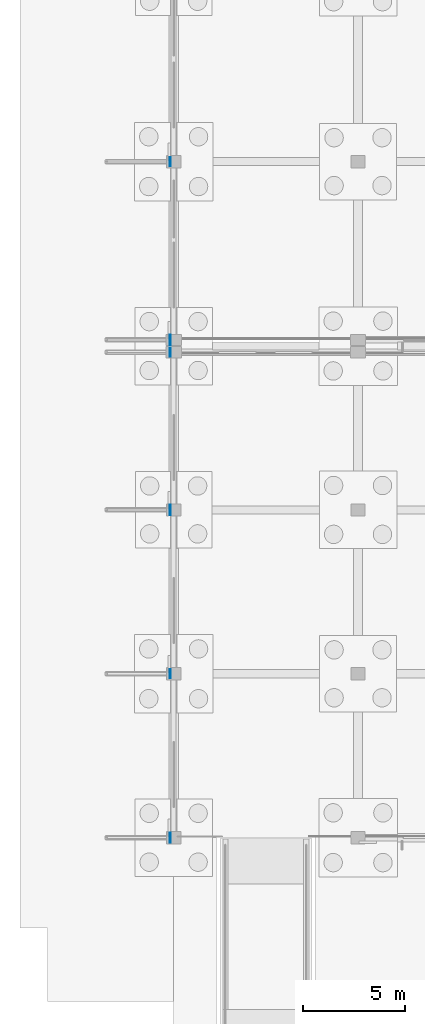
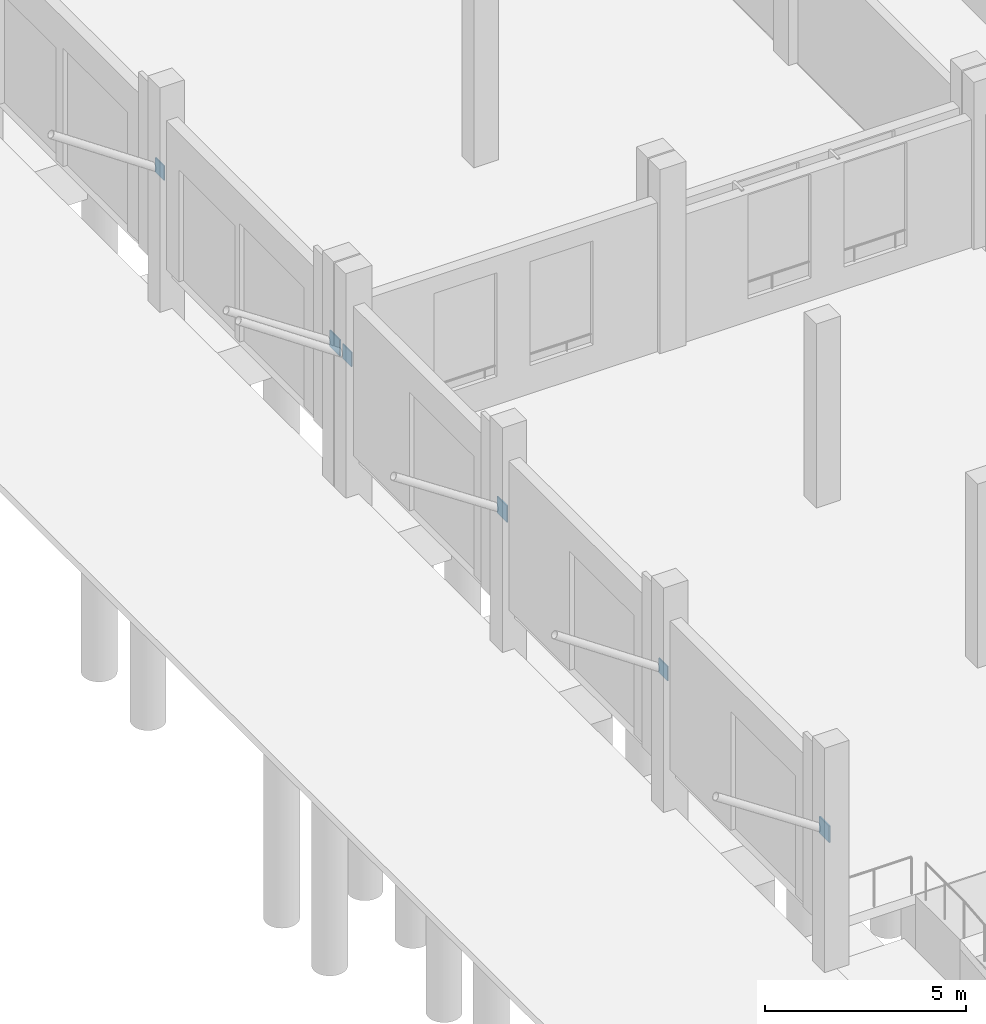
# One storey, part 52 of 99: 6 plates.
"""IFC4 building model written with IfcOpenShell, lengths in metres."""

import ifcopenshell
import ifcopenshell.guid

model = None  # the IFC model being written
_history = None  # IfcOwnerHistory: only IFC2X3 demands one
_inside = {}  # id of a spatial element -> (the spatial element, [elements in it])
_under = {}  # id of a project, library or spatial element -> (it, [spatial elements below it])
_declared = {}  # id of a project -> (the project, [libraries it declares])
_typed = {}  # id of a type object -> (the type object, [elements of that type])
_made_of = {}  # id of a material, layer set ... -> (it, [elements and type objects made of it])


def new_model(schema):
    """Start an empty IFC model of exactly this schema.

    Asked for "IFC4X3", IfcOpenShell would pick the latest addendum, in which some entities
    have other attributes; the version numbers below select the first issue.
    IFC2X3 requires an IfcOwnerHistory on every rooted entity: one is made here for all.
    """
    global model, _history
    if schema == "IFC4X3":
        model = ifcopenshell.file(schema_version=(4, 3, 0, 0))
    else:
        model = ifcopenshell.file(schema=schema)
    _inside.clear()
    _under.clear()
    _declared.clear()
    _typed.clear()
    _made_of.clear()
    _history = None
    if model.schema == "IFC2X3":
        org = make("IfcOrganization", Name="unknown")
        user = make(
            "IfcPersonAndOrganization",
            ThePerson=make("IfcPerson", FamilyName="unknown"),
            TheOrganization=org,
        )
        app = make(
            "IfcApplication",
            ApplicationDeveloper=org,
            Version="unknown",
            ApplicationFullName="unknown",
            ApplicationIdentifier="unknown",
        )
        _history = make(
            "IfcOwnerHistory",
            OwningUser=user,
            OwningApplication=app,
            ChangeAction="ADDED",
            CreationDate=0,
        )
    return model


def make(cls, **values):
    """One entity of the class cls with the attributes given. An attribute that is None is left unset."""
    return model.create_entity(
        cls, **{name: value for name, value in values.items() if value is not None}
    )


def rooted(cls, **values):
    """An entity with a GlobalId (a new one), such as an element, a storey or a relation."""
    return make(cls, GlobalId=ifcopenshell.guid.new(), OwnerHistory=_history, **values)


def si_unit(unit_type, name, prefix=None):
    """IfcSIUnit, for example si_unit("LENGTHUNIT", "METRE", prefix="MILLI")."""
    return make("IfcSIUnit", UnitType=unit_type, Prefix=prefix, Name=name)


def assignment(units):
    """IfcUnitAssignment: the units of a project."""
    return None if units is None else make("IfcUnitAssignment", Units=units)


def point(xyz):
    """IfcCartesianPoint."""
    return None if xyz is None else make("IfcCartesianPoint", Coordinates=xyz)


def direction(xyz):
    """IfcDirection."""
    return None if xyz is None else make("IfcDirection", DirectionRatios=xyz)


def frame(location, z_axis=None, x_axis=None):
    """IfcAxis2Placement3D, a coordinate frame: its origin and axes. An axis left out is left unset."""
    return make(
        "IfcAxis2Placement3D",
        Location=point(location),
        Axis=direction(z_axis),
        RefDirection=direction(x_axis),
    )


def frame_2d(location, x_axis=None):
    """IfcAxis2Placement2D, a coordinate frame in the plane: its origin and x axis."""
    return make(
        "IfcAxis2Placement2D", Location=point(location), RefDirection=direction(x_axis)
    )


def origin():
    """The frame at (0, 0, 0) with its axes left unset."""
    return frame((0.0, 0.0, 0.0))


def origin_2d():
    """The frame at (0, 0) in the plane with its x axis left unset."""
    return frame_2d((0.0, 0.0))


def place(relative_to, where):
    """IfcLocalPlacement: puts the frame where relative to a parent placement (None: the world)."""
    return make(
        "IfcLocalPlacement", PlacementRelTo=relative_to, RelativePlacement=where
    )


def context(
    kind, dimensions, precision=None, world=None, true_north=None, identifier=None
):
    """IfcGeometricRepresentationContext, for example the 3D "Model" context."""
    return make(
        "IfcGeometricRepresentationContext",
        ContextIdentifier=identifier,
        ContextType=kind,
        CoordinateSpaceDimension=dimensions,
        Precision=precision,
        WorldCoordinateSystem=world,
        TrueNorth=true_north,
    )


def subcontext(parent, identifier, kind, view, scale=None):
    """IfcGeometricRepresentationSubContext, for example "Body" below "Model"."""
    return make(
        "IfcGeometricRepresentationSubContext",
        ContextIdentifier=identifier,
        ContextType=kind,
        ParentContext=parent,
        TargetScale=scale,
        TargetView=view,
    )


def project(units=None, contexts=None):
    """IfcProject with its units and contexts."""
    return rooted(
        "IfcProject",
        Name="project",
        RepresentationContexts=contexts,
        UnitsInContext=assignment(units),
    )


def spatial(cls, under=None, at=None, **own):
    """A site, building, storey or space (cls), placed at a placement, below another one or the project."""
    s = rooted(cls, ObjectPlacement=at, **own)
    if under is not None:
        _under.setdefault(under.id(), (under, []))[1].append(s)
    return s


def profile(cls, at=None, kind="AREA", **sizes):
    """A parametric profile (cls). Its sizes go by their IFC names, for example OverallWidth=200.0."""
    return make(cls, ProfileType=kind, Position=at, **sizes)


def rectangle(**sizes):
    """IfcRectangleProfileDef."""
    return profile("IfcRectangleProfileDef", **sizes)


def extrude(swept, where, along, depth):
    """IfcExtrudedAreaSolid: the profile swept, set in the frame where, extruded along a direction by depth."""
    return make(
        "IfcExtrudedAreaSolid",
        SweptArea=swept,
        Position=where,
        ExtrudedDirection=direction(along),
        Depth=depth,
    )


def shape(context_of_items, identifier, shape_type, items):
    """IfcShapeRepresentation: the items that make up one representation, for example the "Body"."""
    return make(
        "IfcShapeRepresentation",
        ContextOfItems=context_of_items,
        RepresentationIdentifier=identifier,
        RepresentationType=shape_type,
        Items=items,
    )


def material(Name=None, Category=None):
    """IfcMaterial."""
    return make("IfcMaterial", Name=Name, Category=Category)


def layer(
    of_material, thickness, ventilated=None, Name=None, Category=None, Priority=None
):
    """IfcMaterialLayer: one layer of a wall or slab, of a material (None: an air gap)."""
    return make(
        "IfcMaterialLayer",
        Material=of_material,
        LayerThickness=thickness,
        IsVentilated=ventilated,
        Name=Name,
        Category=Category,
        Priority=Priority,
    )


def layer_set(layers, Name=None):
    """IfcMaterialLayerSet."""
    return make("IfcMaterialLayerSet", MaterialLayers=layers, LayerSetName=Name)


def made_of(thing, what):
    """Note that an element or type object is made of a material, layer set ...; save() writes the relation."""
    if what is not None:
        _made_of.setdefault(what.id(), (what, []))[1].append(thing)
    return thing


def type_object(cls, material=None, **own):
    """A type object (cls), such as IfcWallType, which elements share."""
    return made_of(rooted(cls, **own), material)


def element(
    cls,
    number,
    at=None,
    inside=None,
    cuts=None,
    type_object=None,
    material=None,
    context=None,
    identifier="Body",
    shape_type=None,
    held_by="IfcProductDefinitionShape",
    body=None,
    shapes=None,
    **own,
):
    """One element of the class cls, such as IfcWall. Its Tag is "e" and its number.

    at: its placement. inside: the storey or other place that contains it. cuts: it is an
    opening in that element (IfcRelVoidsElement). A single representation is given by context,
    identifier, shape_type and body (its items); several are given by shapes. held_by: the class
    of the entity that holds the representations. save() writes the other relations.
    """
    e = rooted(cls, Tag="e%d" % number, ObjectPlacement=at, **own)
    if body is not None:
        shapes = [shape(context, identifier, shape_type, body)]
    if shapes is not None:
        e.Representation = make(held_by, Representations=shapes)
    if inside is not None:
        _inside.setdefault(inside.id(), (inside, []))[1].append(e)
    if cuts is not None:
        rooted(
            "IfcRelVoidsElement", RelatingBuildingElement=cuts, RelatedOpeningElement=e
        )
    if type_object is not None:
        _typed.setdefault(type_object.id(), (type_object, []))[1].append(e)
    return made_of(e, material)


def aggregate(whole, parts):
    """IfcRelAggregates: a whole, such as a stair, and the parts it consists of."""
    return rooted("IfcRelAggregates", RelatingObject=whole, RelatedObjects=parts)


def save(model, path):
    """Write the relations noted so far, then the file.

    IfcRelAggregates (storeys below a building ...), IfcRelContainedInSpatialStructure (elements
    in a storey), IfcRelDefinesByType, IfcRelAssociatesMaterial and IfcRelDeclares: one each for
    every whole, place, type object, material and project.
    """
    for whole, parts in _under.values():
        aggregate(whole, parts)
    for where, things in _inside.values():
        rooted(
            "IfcRelContainedInSpatialStructure",
            RelatedElements=things,
            RelatingStructure=where,
        )
    for kind, things in _typed.values():
        rooted("IfcRelDefinesByType", RelatedObjects=things, RelatingType=kind)
    for what, things in _made_of.values():
        rooted("IfcRelAssociatesMaterial", RelatedObjects=things, RelatingMaterial=what)
    for by, libraries in _declared.values():
        rooted("IfcRelDeclares", RelatingContext=by, RelatedDefinitions=libraries)
    model.write(path)


model = new_model("IFC4")

# Units and contexts
model_context = context("Model", 3, precision=1e-05, world=origin(), true_north=direction((0.0, 1.0)))
body_context = subcontext(model_context, "Body", "Model", "MODEL_VIEW")
ifc_project = project(units=[si_unit("LENGTHUNIT", "METRE"), si_unit("AREAUNIT", "SQUARE_METRE"), si_unit("VOLUMEUNIT", "CUBIC_METRE"), si_unit("PLANEANGLEUNIT", "RADIAN"), si_unit("MASSUNIT", "GRAM", prefix="KILO")], contexts=[model_context])

# Site, building, storey
site_placement = place(None, origin())
site = spatial("IfcSite", under=ifc_project, at=site_placement, CompositionType="ELEMENT")
building_placement = place(site_placement, origin())
building = spatial("IfcBuilding", under=site, at=building_placement, Name="Zacnel Wholesale Market", CompositionType="ELEMENT")
storey_placement = place(building_placement, origin())
storey = spatial("IfcBuildingStorey", under=building, at=storey_placement, Name="L01", CompositionType="ELEMENT", Elevation=0.0)

# Plates
ifc_material_1 = material(Name="Steel S355", Category="steel")
ifc_layer_1 = layer(ifc_material_1, 0.031982421875)
ifc_layer_set_1 = layer_set([ifc_layer_1], Name="Steel S355")
plate_type_1 = type_object("IfcPlateType", Name="PLT-BRG-440X32", PredefinedType="SHEET", material=ifc_layer_set_1)
for number, where, z_axis, x_axis, name in (
    (1, (-0.169921875, 32.0, 3.880126953125), (0.0, 0.0, 1.0), (1.0, 0.0, 0.0), "Dock brace wall bearing plate 02"),
    (2, (-0.169921875, 47.699951171875, 3.880126953125), (0.0, 0.0, 1.0), (1.0, 0.0, 0.0), "Dock brace wall bearing plate 04"),
    (3, (-0.169921875, 57.0, 3.880126953125), (0.0, 0.0, 1.0), (1.0, 0.0, 0.0), "Dock brace wall bearing plate 06"),
):
    element("IfcPlate", number, at=place(storey_placement, frame(where, z_axis=z_axis, x_axis=x_axis)), inside=storey, type_object=plate_type_1, Name=name, PredefinedType="SHEET", context=body_context, shape_type="SweptSolid", body=[
        extrude(rectangle(XDim=0.031982421875, YDim=0.43994140625, at=origin_2d()), origin(), (0.0, 0.0, 1.0), 0.43994140625),
    ])
ifc_material_2 = material(Name="Steel S355", Category="steel")
ifc_layer_2 = layer(ifc_material_2, 0.0400390625)
ifc_layer_set_2 = layer_set([ifc_layer_2], Name="Steel S355")
plate_type_2 = type_object("IfcPlateType", Name="PLT-BRG-500X40", PredefinedType="SHEET", material=ifc_layer_set_2)
for number, where, z_axis, x_axis, name in (
    (4, (-0.169921875, 24.0, 3.85009765625), (0.0, 0.0, 1.0), (1.0, 0.0, 0.0), "Dock brace wall bearing plate 01"),
    (5, (-0.169921875, 40.0, 3.85009765625), (0.0, 0.0, 1.0), (1.0, 0.0, 0.0), "Dock brace wall bearing plate 03"),
    (6, (-0.169921875, 48.300048828125, 3.85009765625), (0.0, 0.0, 1.0), (1.0, 0.0, 0.0), "Dock brace wall bearing plate 05"),
):
    element("IfcPlate", number, at=place(storey_placement, frame(where, z_axis=z_axis, x_axis=x_axis)), inside=storey, type_object=plate_type_2, Name=name, PredefinedType="SHEET", context=body_context, shape_type="SweptSolid", body=[
        extrude(rectangle(XDim=0.0400390625, YDim=0.5, at=origin_2d()), origin(), (0.0, 0.0, 1.0), 0.5),
    ])

save(model, "model.ifc")
